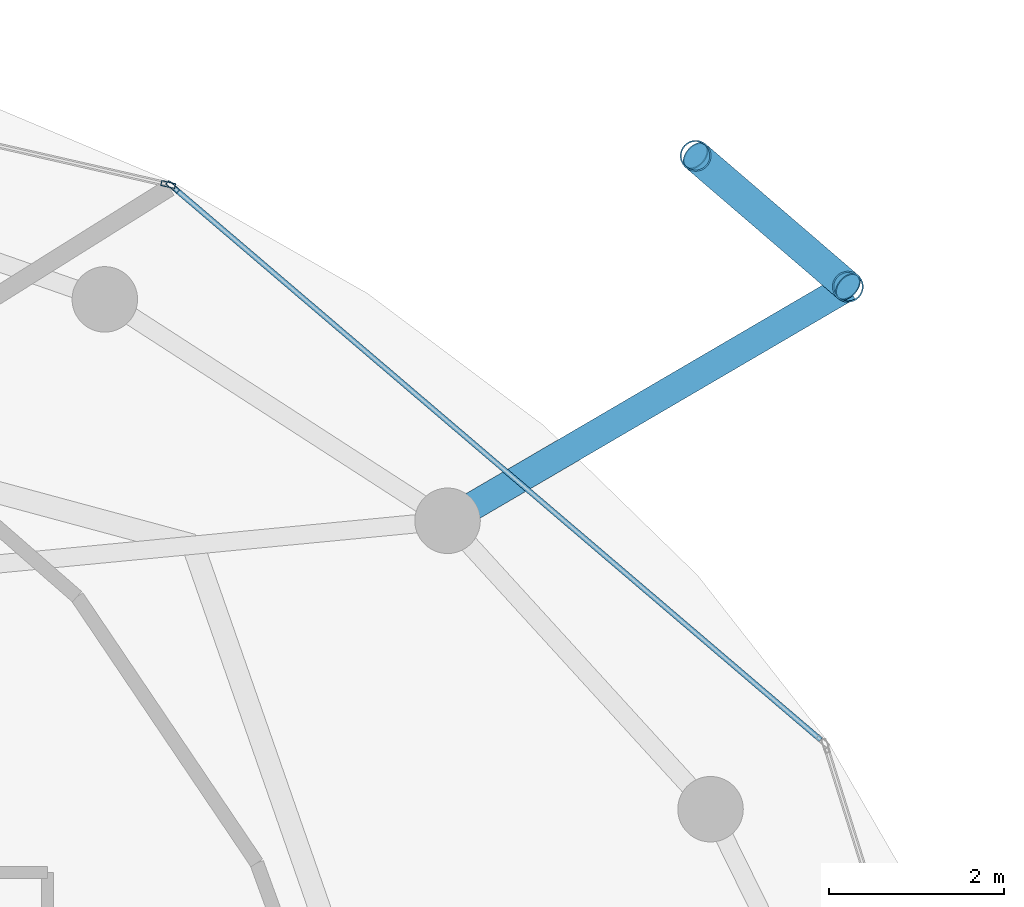
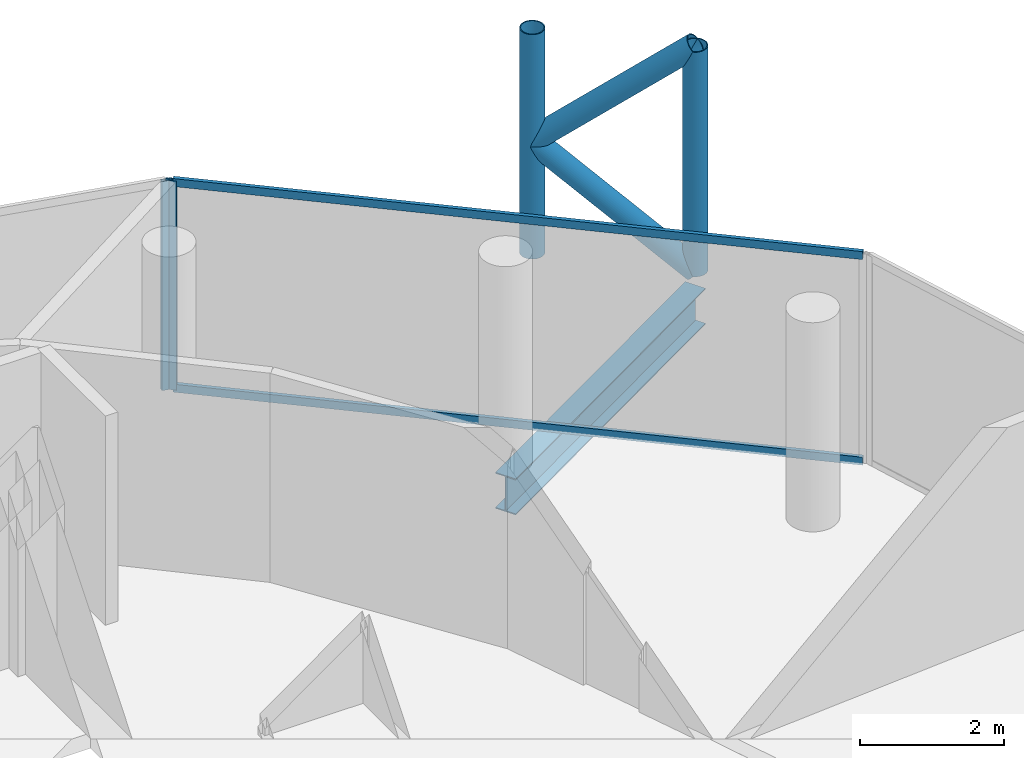
# One storey, part 18 of 24: 8 members, 1 beam, 2 elements without a shape of their own.
"""IFC4 building model written with IfcOpenShell, lengths in metres."""

from ifc_helpers import new_model, si_unit, direction, frame, origin, origin_2d, place, context, subcontext, project, spatial, hollow_rectangle, hollow_circle, i_section, extrude, material, layer, layer_set, material_profile, profile_set, type_object, element, aggregate, save


model = new_model("IFC4")

# Units and contexts
model_context = context("Model", 3, precision=1e-05, world=origin(), true_north=direction((0.0, 1.0)))
body_context = subcontext(model_context, "Body", "Model", "MODEL_VIEW")
ifc_project = project(units=[si_unit("LENGTHUNIT", "METRE"), si_unit("AREAUNIT", "SQUARE_METRE"), si_unit("VOLUMEUNIT", "CUBIC_METRE"), si_unit("PLANEANGLEUNIT", "RADIAN"), si_unit("MASSUNIT", "GRAM", prefix="KILO")], contexts=[model_context])

# Site, building, storey
site_placement = place(None, origin())
site = spatial("IfcSite", under=ifc_project, at=site_placement, CompositionType="ELEMENT")
building_placement = place(site_placement, origin())
building = spatial("IfcBuilding", under=site, at=building_placement, Name="Nuhasar Tower", CompositionType="ELEMENT")
storey_placement = place(building_placement, frame((0.0, 0.0, 282.199951171875)))
storey = spatial("IfcBuildingStorey", under=building, at=storey_placement, Name="L70", CompositionType="ELEMENT", Elevation=282.199951171875)

# Beam
ifc_material_1 = material(Name="Steel S355", Category="steel")
ifc_material_profile_1 = material_profile(ifc_material_1, i_section(OverallWidth=0.323974609375, OverallDepth=0.611083984375, WebThickness=0.0126953125, FlangeThickness=0.01904296875, at=origin_2d()), Name="W24X104")
ifc_profile_set_1 = profile_set([ifc_material_profile_1], Name="Steel S355")
beam_type = type_object("IfcBeamType", Name="BM-TIE-W24X104", PredefinedType="BEAM", material=ifc_profile_set_1)
beam_placement = place(storey_placement, frame((52.39990234375, 38.077880859375, -0.56494140625), z_axis=(0.863271521286, 0.504739814693, 0.0), x_axis=(-0.504739814693, 0.863271521286, 0.0)))
element("IfcBeam", 1, at=beam_placement, inside=storey, type_object=beam_type, Name="L70 Exoskeleton Node Tie Beam 02", PredefinedType="BEAM", context=body_context, shape_type="SweptSolid", body=[
    extrude(i_section(OverallWidth=0.323974609375, OverallDepth=0.611083984375, WebThickness=0.0126953125, FlangeThickness=0.01904296875, at=origin_2d()), origin(), (0.0, 0.0, 1.0), 5.31005859375),
])

# Curtain wall, member
ifc_material_2 = material(Name="Aluminium 6063-T6", Category="aluminium")
ifc_layer = layer(ifc_material_2, 0.18994140625)
ifc_layer_set = layer_set([ifc_layer], Name="Aluminium 6063-T6")
curtain_wall_type = type_object("IfcCurtainWallType", Name="CW-Z4-PEN", PredefinedType="NOTDEFINED", material=ifc_layer_set)
curtain_wall_1_placement = place(storey_placement, origin())
curtain_wall_1 = element("IfcCurtainWall", 2, at=curtain_wall_1_placement, inside=storey, type_object=curtain_wall_type, Name="L70 Unitised Curtain Wall 02", PredefinedType="NOTDEFINED")
ifc_material_profile_2 = material_profile(ifc_material_2, hollow_rectangle(XDim=0.06005859375, YDim=0.1650390625, WallThickness=0.0048828125, at=origin_2d()), Name="CWM-5")
ifc_profile_set_2 = profile_set([ifc_material_profile_2], Name="Aluminium 6063-T6")
member_type_1 = type_object("IfcMemberType", Name="CW-MUL-S5", PredefinedType="MULLION", material=ifc_profile_set_2)
member_1_placement = place(storey_placement, frame((49.2529296875, 41.901611328125, 0.0), z_axis=(0.0, 0.0, 1.0), x_axis=(-0.649141996205, -0.760667252327, 0.0)))
member_1 = element("IfcMember", 3, at=member_1_placement, type_object=member_type_1, Name="CW-Z4 mullion 2", PredefinedType="MULLION", context=body_context, shape_type="SweptSolid", body=[
    extrude(hollow_rectangle(XDim=0.06005859375, YDim=0.1650390625, WallThickness=0.0048828125, at=origin_2d()), origin(), (0.0, 0.0, 1.0), 3.5400390625),
])

curtain_wall_2_placement = place(storey_placement, origin())
curtain_wall_2 = element("IfcCurtainWall", 4, at=curtain_wall_2_placement, inside=storey, type_object=curtain_wall_type, Name="L70 Unitised Curtain Wall 03", PredefinedType="NOTDEFINED")
member_2_placement = place(storey_placement, frame((49.20068359375, 41.927734375, 0.0), z_axis=(0.0, 0.0, 1.0), x_axis=(-0.222889487645, -0.97484371891, 0.0)))
member_2 = element("IfcMember", 5, at=member_2_placement, type_object=member_type_1, Name="CW-Z4 mullion 1", PredefinedType="MULLION", context=body_context, shape_type="SweptSolid", body=[
    extrude(hollow_rectangle(XDim=0.06005859375, YDim=0.1650390625, WallThickness=0.0048828125, at=origin_2d()), origin(), (0.0, 0.0, 1.0), 3.5400390625),
])
aggregate(curtain_wall_2, [member_2])

# Member
ifc_material_profile_3 = material_profile(ifc_material_2, hollow_rectangle(XDim=0.06005859375, YDim=0.135009765625, WallThickness=0.00439453125, at=origin_2d()), Name="CWT-5")
ifc_profile_set_3 = profile_set([ifc_material_profile_3], Name="Aluminium 6063-T6")
member_type_2 = type_object("IfcMemberType", Name="CW-TRN-S5", PredefinedType="USERDEFINED", material=ifc_profile_set_3)
member_3_placement = place(storey_placement, frame((56.67333984375, 35.56884765625, 0.030029296875), z_axis=(-0.760660035709, 0.649150452573, 0.0), x_axis=(-0.649150452573, -0.760660035709, 0.0)))
member_3 = element("IfcMember", 6, at=member_3_placement, type_object=member_type_2, Name="CW-Z4 transom 1.1", ObjectType="TRANSOM", PredefinedType="USERDEFINED", context=body_context, shape_type="SweptSolid", body=[
    extrude(hollow_rectangle(XDim=0.06005859375, YDim=0.135009765625, WallThickness=0.00439453125, at=origin_2d()), origin(), (0.0, 0.0, 1.0), 9.725341796875),
])

member_4_placement = place(storey_placement, frame((56.67333984375, 35.56884765625, 3.510009765625), z_axis=(-0.760660035709, 0.649150452573, 0.0), x_axis=(-0.649150452573, -0.760660035709, 0.0)))
member_4 = element("IfcMember", 7, at=member_4_placement, type_object=member_type_2, Name="CW-Z4 transom 1.2", ObjectType="TRANSOM", PredefinedType="USERDEFINED", context=body_context, shape_type="SweptSolid", body=[
    extrude(hollow_rectangle(XDim=0.06005859375, YDim=0.135009765625, WallThickness=0.00439453125, at=origin_2d()), origin(), (0.0, 0.0, 1.0), 9.725341796875),
])

aggregate(curtain_wall_1, [member_1, member_3, member_4])

# Members
ifc_material_3 = material(Name="Steel S460", Category="steel")
ifc_material_profile_4 = material_profile(ifc_material_3, hollow_circle(Radius=0.177734375, WallThickness=0.015869140625, at=origin_2d()), Name="HSS355.6X15.9")
ifc_profile_set_4 = profile_set([ifc_material_profile_4], Name="Steel S460")
member_type_3 = type_object("IfcMemberType", Name="EXO-BRONZE-356", PredefinedType="BRACE", material=ifc_profile_set_4)
for number, where, z_axis, x_axis, name in (
    (8, (56.98388671875, 40.758056640625, 0.0), (0.0, 0.0, 1.0), (1.0, 0.0, 0.0), "L70 Exoskeleton Chord Column EC-02A"),
    (9, (55.239990234375, 42.257080078125, 0.0), (0.0, 0.0, 1.0), (1.0, 0.0, 0.0), "L70 Exoskeleton Chord Column EC-02B"),
):
    element("IfcMember", number, at=place(storey_placement, frame(where, z_axis=z_axis, x_axis=x_axis)), inside=storey, type_object=member_type_3, Name=name, PredefinedType="BRACE", context=body_context, shape_type="SweptSolid", body=[
        extrude(hollow_circle(Radius=0.177734375, WallThickness=0.015869140625, at=origin_2d()), origin(), (0.0, 0.0, 1.0), 3.800048828125),
    ])
member_5_placement = place(storey_placement, frame((56.98388671875, 40.758056640625, 0.0), z_axis=(-0.584594747408, 0.50250759472, 0.636973389203), x_axis=(-0.65185738425, -0.758341579104, 0.0)))
element("IfcMember", 10, at=member_5_placement, inside=storey, type_object=member_type_3, Name="L70 Bronze Diagrid Brace W1-02", PredefinedType="BRACE", context=body_context, shape_type="SweptSolid", body=[
    extrude(hollow_circle(Radius=0.177734375, WallThickness=0.015869140625, at=origin_2d()), origin(), (0.0, 0.0, 1.0), 2.983154296875),
])
member_6_placement = place(storey_placement, frame((55.239990234375, 42.257080078125, 1.900146484375), z_axis=(0.584625223306, -0.502533791278, 0.636924749792), x_axis=(0.65185738425, 0.758341579104, 0.0)))
element("IfcMember", 11, at=member_6_placement, inside=storey, type_object=member_type_3, Name="L70 Bronze Diagrid Brace W2-02", PredefinedType="BRACE", context=body_context, shape_type="SweptSolid", body=[
    extrude(hollow_circle(Radius=0.177734375, WallThickness=0.015869140625, at=origin_2d()), origin(), (0.0, 0.0, 1.0), 2.98291015625),
])

save(model, "model.ifc")
